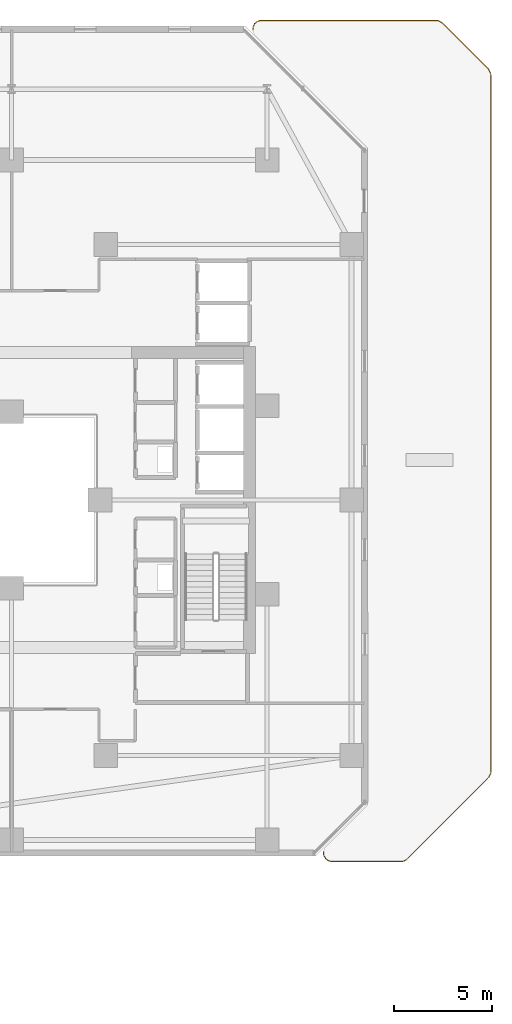
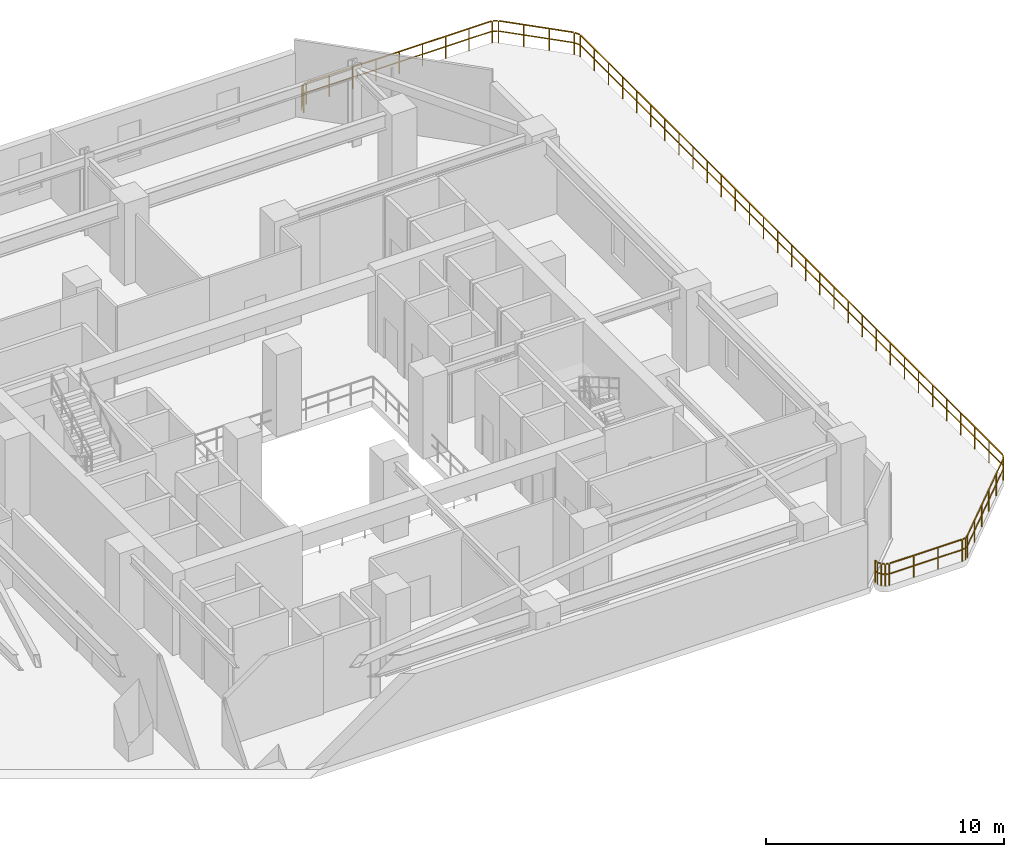
# One storey, part 29 of 30: 1 railing.
"""IFC4 building model written with IfcOpenShell, lengths in metres."""

from ifc_helpers import new_model, si_unit, direction, frame, origin, origin_2d, place, context, subcontext, project, spatial, rectangle, extrude, material, type_object, element, save


model = new_model("IFC4")

# Units and contexts
model_context = context("Model", 3, precision=1e-05, world=origin(), true_north=direction((0.0, 1.0)))
body_context = subcontext(model_context, "Body", "Model", "MODEL_VIEW")
ifc_project = project(units=[si_unit("LENGTHUNIT", "METRE"), si_unit("AREAUNIT", "SQUARE_METRE"), si_unit("VOLUMEUNIT", "CUBIC_METRE"), si_unit("PLANEANGLEUNIT", "RADIAN"), si_unit("MASSUNIT", "GRAM", prefix="KILO")], contexts=[model_context])

# Site, building, storey
site_placement = place(None, origin())
site = spatial("IfcSite", under=ifc_project, at=site_placement, CompositionType="ELEMENT")
building_placement = place(site_placement, origin())
building = spatial("IfcBuilding", under=site, at=building_placement, Name="Thornwick Lancets Civic Towers", CompositionType="ELEMENT")
storey_placement = place(building_placement, frame((0.0, 0.0, 75.89990234375)))
storey = spatial("IfcBuildingStorey", under=building, at=storey_placement, Name="L19", CompositionType="ELEMENT", Elevation=75.89990234375)

# Railing
ifc_material = material(Name="Terracotta-capped laminated glass balustrade S355", Category="masonry")
railing_type = type_object("IfcRailingType", Name="RAIL_TERR_GUARD", PredefinedType="GUARDRAIL", material=ifc_material)
railing_placement = place(storey_placement, frame((100.767333984375, 50.90234375, 0.0)))
element("IfcRailing", 1, at=railing_placement, inside=storey, type_object=railing_type, Name="L19 Tower B Sky-Garden Guard 1", PredefinedType="GUARDRAIL", context=body_context, shape_type="SweptSolid", body=[
    extrude(rectangle(XDim=0.048095703125, YDim=0.048095703125, at=origin_2d()), frame((0.0, 0.0, 1.1259765625), z_axis=(0.094101126617, 0.99556264392, 0.0), x_axis=(-0.99556264392, 0.094101126617, 0.0)), (0.0, 0.0, 1.0), 0.147705078125),
    extrude(rectangle(XDim=0.0419921875, YDim=0.0419921875, at=origin_2d()), frame((0.00341796875, 0.037353515625, 0.597900390625), z_axis=(0.094101126617, 0.99556264392, 0.0), x_axis=(-0.99556264392, 0.094101126617, 0.0)), (0.0, 0.0, 1.0), 0.10400390625),
    extrude(rectangle(XDim=0.048095703125, YDim=0.048095703125, at=origin_2d()), frame((0.031494140625, 0.205810546875, 1.1259765625), z_axis=(0.469866553184, 0.882737459384, 0.0), x_axis=(-0.882737459384, 0.469866553184, 0.0)), (0.0, 0.0, 1.0), 0.113037109375),
    extrude(rectangle(XDim=0.0419921875, YDim=0.0419921875, at=origin_2d()), frame((0.034423828125, 0.21142578125, 0.597900390625), z_axis=(0.469866553184, 0.882737459384, 0.0), x_axis=(-0.882737459384, 0.469866553184, 0.0)), (0.0, 0.0, 1.0), 0.1005859375),
    extrude(rectangle(XDim=0.048095703125, YDim=0.048095703125, at=origin_2d()), frame((0.12353515625, 0.35302734375, 1.1259765625), z_axis=(0.773771583857, 0.63346470779, 0.0), x_axis=(-0.63346470779, 0.773771583857, 0.0)), (0.0, 0.0, 1.0), 0.11328125),
    extrude(rectangle(XDim=0.0419921875, YDim=0.0419921875, at=origin_2d()), frame((0.12841796875, 0.35693359375, 0.597900390625), z_axis=(0.773771583857, 0.63346470779, 0.0), x_axis=(-0.63346470779, 0.773771583857, 0.0)), (0.0, 0.0, 1.0), 0.100830078125),
    extrude(rectangle(XDim=0.048095703125, YDim=0.048095703125, at=origin_2d()), frame((0.265380859375, 0.45361328125, 1.1259765625), z_axis=(0.957211427299, 0.289389501276, 0.0), x_axis=(-0.289389501276, 0.957211427299, 0.0)), (0.0, 0.0, 1.0), 0.113037109375),
    extrude(rectangle(XDim=0.0419921875, YDim=0.0419921875, at=origin_2d()), frame((0.271240234375, 0.455322265625, 0.597900390625), z_axis=(0.957211427299, 0.289389501276, 0.0), x_axis=(-0.289389501276, 0.957211427299, 0.0)), (0.0, 0.0, 1.0), 0.1005859375),
    extrude(rectangle(XDim=0.048095703125, YDim=0.048095703125, at=origin_2d()), frame((0.4345703125, 0.495361328125, 1.1259765625), z_axis=(0.999999752971, -0.0007028925, 0.0), x_axis=(0.0007028925, 0.999999752971, 0.0)), (0.0, 0.0, 1.0), 8.96826171875),
    extrude(rectangle(XDim=0.0419921875, YDim=0.0419921875, at=origin_2d()), frame((0.44091796875, 0.495361328125, 0.597900390625), z_axis=(0.999999752971, -0.0007028925, 0.0), x_axis=(0.0007028925, 0.999999752971, 0.0)), (0.0, 0.0, 1.0), 1.053955078125),
    extrude(rectangle(XDim=0.0419921875, YDim=0.0419921875, at=origin_2d()), frame((1.569580078125, 0.49462890625, 0.597900390625), z_axis=(0.999999752971, -0.0007028925, 0.0), x_axis=(0.0007028925, 0.999999752971, 0.0)), (0.0, 0.0, 1.0), 1.053955078125),
    extrude(rectangle(XDim=0.0419921875, YDim=0.0419921875, at=origin_2d()), frame((2.698486328125, 0.49365234375, 0.597900390625), z_axis=(0.999999752971, -0.0007028925, 0.0), x_axis=(0.0007028925, 0.999999752971, 0.0)), (0.0, 0.0, 1.0), 1.053955078125),
    extrude(rectangle(XDim=0.0419921875, YDim=0.0419921875, at=origin_2d()), frame((3.827392578125, 0.492919921875, 0.597900390625), z_axis=(0.999999752971, -0.0007028925, 0.0), x_axis=(0.0007028925, 0.999999752971, 0.0)), (0.0, 0.0, 1.0), 1.053955078125),
    extrude(rectangle(XDim=0.0419921875, YDim=0.0419921875, at=origin_2d()), frame((4.956298828125, 0.4921875, 0.597900390625), z_axis=(0.999999752971, -0.0007028925, 0.0), x_axis=(0.0007028925, 0.999999752971, 0.0)), (0.0, 0.0, 1.0), 1.053955078125),
    extrude(rectangle(XDim=0.0419921875, YDim=0.0419921875, at=origin_2d()), frame((6.0849609375, 0.491455078125, 0.597900390625), z_axis=(0.999999752971, -0.0007028925, 0.0), x_axis=(0.0007028925, 0.999999752971, 0.0)), (0.0, 0.0, 1.0), 1.053955078125),
    extrude(rectangle(XDim=0.0419921875, YDim=0.0419921875, at=origin_2d()), frame((7.2138671875, 0.490478515625, 0.597900390625), z_axis=(0.999999752971, -0.0007028925, 0.0), x_axis=(0.0007028925, 0.999999752971, 0.0)), (0.0, 0.0, 1.0), 1.053955078125),
    extrude(rectangle(XDim=0.0419921875, YDim=0.0419921875, at=origin_2d()), frame((8.3427734375, 0.48974609375, 0.597900390625), z_axis=(0.999999752971, -0.0007028925, 0.0), x_axis=(0.0007028925, 0.999999752971, 0.0)), (0.0, 0.0, 1.0), 1.053955078125),
    extrude(rectangle(XDim=0.048095703125, YDim=0.048095703125, at=origin_2d()), frame((9.461669921875, 0.474365234375, 1.1259765625), z_axis=(0.882145912945, -0.470976207759, 0.0), x_axis=(0.470976207759, 0.882145912945, 0.0)), (0.0, 0.0, 1.0), 0.19873046875),
    extrude(rectangle(XDim=0.0419921875, YDim=0.0419921875, at=origin_2d()), frame((9.467041015625, 0.471435546875, 0.597900390625), z_axis=(0.882145912945, -0.470976207759, 0.0), x_axis=(0.470976207759, 0.882145912945, 0.0)), (0.0, 0.0, 1.0), 0.186279296875),
    extrude(rectangle(XDim=0.048095703125, YDim=0.048095703125, at=origin_2d()), frame((9.686767578125, 0.34375, 1.1259765625), z_axis=(0.707106781187, -0.707106781187, 0.0), x_axis=(0.707106781187, 0.707106781187, 0.0)), (0.0, 0.0, 1.0), 3.24169921875),
    extrude(rectangle(XDim=0.0419921875, YDim=0.0419921875, at=origin_2d()), frame((9.691162109375, 0.33935546875, 0.597900390625), z_axis=(0.707106781187, -0.707106781187, 0.0), x_axis=(0.707106781187, 0.707106781187, 0.0)), (0.0, 0.0, 1.0), 1.0263671875),
    extrude(rectangle(XDim=0.0419921875, YDim=0.0419921875, at=origin_2d()), frame((10.469970703125, -0.439453125, 0.597900390625), z_axis=(0.707106781187, -0.707106781187, 0.0), x_axis=(0.707106781187, 0.707106781187, 0.0)), (0.0, 0.0, 1.0), 1.0263671875),
    extrude(rectangle(XDim=0.0419921875, YDim=0.0419921875, at=origin_2d()), frame((11.248779296875, -1.21826171875, 0.597900390625), z_axis=(0.707106781187, -0.707106781187, 0.0), x_axis=(0.707106781187, 0.707106781187, 0.0)), (0.0, 0.0, 1.0), 1.0263671875),
    extrude(rectangle(XDim=0.048095703125, YDim=0.048095703125, at=origin_2d()), frame((12.014404296875, -1.998779296875, 1.1259765625), z_axis=(0.426805098696, -0.904343633652, 0.0), x_axis=(0.904343633652, 0.426805098696, 0.0)), (0.0, 0.0, 1.0), 0.24072265625),
    extrude(rectangle(XDim=0.0419921875, YDim=0.0419921875, at=origin_2d()), frame((12.01708984375, -2.00439453125, 0.597900390625), z_axis=(0.426805098696, -0.904343633652, 0.0), x_axis=(0.904343633652, 0.426805098696, 0.0)), (0.0, 0.0, 1.0), 0.228271484375),
    extrude(rectangle(XDim=0.048095703125, YDim=0.048095703125, at=origin_2d()), frame((12.13037109375, -2.27587890625, 1.1259765625), z_axis=(-0.000178510124, -0.999999984067, 0.0), x_axis=(0.999999984067, -0.000178510124, 0.0)), (0.0, 0.0, 1.0), 35.49658203125),
    extrude(rectangle(XDim=0.0419921875, YDim=0.0419921875, at=origin_2d()), frame((12.13037109375, -2.2822265625, 0.597900390625), z_axis=(-0.000178510124, -0.999999984067, 0.0), x_axis=(0.999999984067, -0.000178510124, 0.0)), (0.0, 0.0, 1.0), 1.1103515625),
    extrude(rectangle(XDim=0.0419921875, YDim=0.0419921875, at=origin_2d()), frame((12.130126953125, -3.467529296875, 0.597900390625), z_axis=(-0.000178510124, -0.999999984067, 0.0), x_axis=(0.999999984067, -0.000178510124, 0.0)), (0.0, 0.0, 1.0), 1.1103515625),
    extrude(rectangle(XDim=0.0419921875, YDim=0.0419921875, at=origin_2d()), frame((12.1298828125, -4.65283203125, 0.597900390625), z_axis=(-0.000178510124, -0.999999984067, 0.0), x_axis=(0.999999984067, -0.000178510124, 0.0)), (0.0, 0.0, 1.0), 1.1103515625),
    extrude(rectangle(XDim=0.0419921875, YDim=0.0419921875, at=origin_2d()), frame((12.129638671875, -5.838134765625, 0.597900390625), z_axis=(-0.000178510124, -0.999999984067, 0.0), x_axis=(0.999999984067, -0.000178510124, 0.0)), (0.0, 0.0, 1.0), 1.1103515625),
    extrude(rectangle(XDim=0.0419921875, YDim=0.0419921875, at=origin_2d()), frame((12.129638671875, -7.0234375, 0.597900390625), z_axis=(-0.000178510124, -0.999999984067, 0.0), x_axis=(0.999999984067, -0.000178510124, 0.0)), (0.0, 0.0, 1.0), 1.1103515625),
    extrude(rectangle(XDim=0.0419921875, YDim=0.0419921875, at=origin_2d()), frame((12.12939453125, -8.208740234375, 0.597900390625), z_axis=(-0.000178510124, -0.999999984067, 0.0), x_axis=(0.999999984067, -0.000178510124, 0.0)), (0.0, 0.0, 1.0), 1.1103515625),
    extrude(rectangle(XDim=0.0419921875, YDim=0.0419921875, at=origin_2d()), frame((12.129150390625, -9.39404296875, 0.597900390625), z_axis=(-0.000178510124, -0.999999984067, 0.0), x_axis=(0.999999984067, -0.000178510124, 0.0)), (0.0, 0.0, 1.0), 1.1103515625),
    extrude(rectangle(XDim=0.0419921875, YDim=0.0419921875, at=origin_2d()), frame((12.12890625, -10.579345703125, 0.597900390625), z_axis=(-0.000178510124, -0.999999984067, 0.0), x_axis=(0.999999984067, -0.000178510124, 0.0)), (0.0, 0.0, 1.0), 1.1103515625),
    extrude(rectangle(XDim=0.0419921875, YDim=0.0419921875, at=origin_2d()), frame((12.128662109375, -11.7646484375, 0.597900390625), z_axis=(-0.000178510124, -0.999999984067, 0.0), x_axis=(0.999999984067, -0.000178510124, 0.0)), (0.0, 0.0, 1.0), 1.1103515625),
    extrude(rectangle(XDim=0.0419921875, YDim=0.0419921875, at=origin_2d()), frame((12.12841796875, -12.949951171875, 0.597900390625), z_axis=(-0.000178510124, -0.999999984067, 0.0), x_axis=(0.999999984067, -0.000178510124, 0.0)), (0.0, 0.0, 1.0), 1.1103515625),
    extrude(rectangle(XDim=0.0419921875, YDim=0.0419921875, at=origin_2d()), frame((12.128173828125, -14.13525390625, 0.597900390625), z_axis=(-0.000178510124, -0.999999984067, 0.0), x_axis=(0.999999984067, -0.000178510124, 0.0)), (0.0, 0.0, 1.0), 1.1103515625),
    extrude(rectangle(XDim=0.0419921875, YDim=0.0419921875, at=origin_2d()), frame((12.1279296875, -15.320556640625, 0.597900390625), z_axis=(-0.000178510124, -0.999999984067, 0.0), x_axis=(0.999999984067, -0.000178510124, 0.0)), (0.0, 0.0, 1.0), 1.1103515625),
    extrude(rectangle(XDim=0.0419921875, YDim=0.0419921875, at=origin_2d()), frame((12.1279296875, -16.505859375, 0.597900390625), z_axis=(-0.000178510124, -0.999999984067, 0.0), x_axis=(0.999999984067, -0.000178510124, 0.0)), (0.0, 0.0, 1.0), 1.1103515625),
    extrude(rectangle(XDim=0.0419921875, YDim=0.0419921875, at=origin_2d()), frame((12.127685546875, -17.691162109375, 0.597900390625), z_axis=(-0.000178510124, -0.999999984067, 0.0), x_axis=(0.999999984067, -0.000178510124, 0.0)), (0.0, 0.0, 1.0), 1.1103515625),
    extrude(rectangle(XDim=0.0419921875, YDim=0.0419921875, at=origin_2d()), frame((12.12744140625, -18.87646484375, 0.597900390625), z_axis=(-0.000178510124, -0.999999984067, 0.0), x_axis=(0.999999984067, -0.000178510124, 0.0)), (0.0, 0.0, 1.0), 1.1103515625),
    extrude(rectangle(XDim=0.0419921875, YDim=0.0419921875, at=origin_2d()), frame((12.127197265625, -20.061767578125, 0.597900390625), z_axis=(-0.000178510124, -0.999999984067, 0.0), x_axis=(0.999999984067, -0.000178510124, 0.0)), (0.0, 0.0, 1.0), 1.1103515625),
    extrude(rectangle(XDim=0.0419921875, YDim=0.0419921875, at=origin_2d()), frame((12.126953125, -21.2470703125, 0.597900390625), z_axis=(-0.000178510124, -0.999999984067, 0.0), x_axis=(0.999999984067, -0.000178510124, 0.0)), (0.0, 0.0, 1.0), 1.1103515625),
    extrude(rectangle(XDim=0.0419921875, YDim=0.0419921875, at=origin_2d()), frame((12.126708984375, -22.432373046875, 0.597900390625), z_axis=(-0.000178510124, -0.999999984067, 0.0), x_axis=(0.999999984067, -0.000178510124, 0.0)), (0.0, 0.0, 1.0), 1.1103515625),
    extrude(rectangle(XDim=0.0419921875, YDim=0.0419921875, at=origin_2d()), frame((12.12646484375, -23.61767578125, 0.597900390625), z_axis=(-0.000178510124, -0.999999984067, 0.0), x_axis=(0.999999984067, -0.000178510124, 0.0)), (0.0, 0.0, 1.0), 1.1103515625),
    extrude(rectangle(XDim=0.0419921875, YDim=0.0419921875, at=origin_2d()), frame((12.12646484375, -24.802978515625, 0.597900390625), z_axis=(-0.000178510124, -0.999999984067, 0.0), x_axis=(0.999999984067, -0.000178510124, 0.0)), (0.0, 0.0, 1.0), 1.1103515625),
    extrude(rectangle(XDim=0.0419921875, YDim=0.0419921875, at=origin_2d()), frame((12.126220703125, -25.98828125, 0.597900390625), z_axis=(-0.000178510124, -0.999999984067, 0.0), x_axis=(0.999999984067, -0.000178510124, 0.0)), (0.0, 0.0, 1.0), 1.1103515625),
    extrude(rectangle(XDim=0.0419921875, YDim=0.0419921875, at=origin_2d()), frame((12.1259765625, -27.173583984375, 0.597900390625), z_axis=(-0.000178510124, -0.999999984067, 0.0), x_axis=(0.999999984067, -0.000178510124, 0.0)), (0.0, 0.0, 1.0), 1.1103515625),
    extrude(rectangle(XDim=0.0419921875, YDim=0.0419921875, at=origin_2d()), frame((12.125732421875, -28.35888671875, 0.597900390625), z_axis=(-0.000178510124, -0.999999984067, 0.0), x_axis=(0.999999984067, -0.000178510124, 0.0)), (0.0, 0.0, 1.0), 1.1103515625),
    extrude(rectangle(XDim=0.0419921875, YDim=0.0419921875, at=origin_2d()), frame((12.12548828125, -29.544189453125, 0.597900390625), z_axis=(-0.000178510124, -0.999999984067, 0.0), x_axis=(0.999999984067, -0.000178510124, 0.0)), (0.0, 0.0, 1.0), 1.1103515625),
    extrude(rectangle(XDim=0.0419921875, YDim=0.0419921875, at=origin_2d()), frame((12.125244140625, -30.7294921875, 0.597900390625), z_axis=(-0.000178510124, -0.999999984067, 0.0), x_axis=(0.999999984067, -0.000178510124, 0.0)), (0.0, 0.0, 1.0), 1.1103515625),
    extrude(rectangle(XDim=0.0419921875, YDim=0.0419921875, at=origin_2d()), frame((12.125, -31.914794921875, 0.597900390625), z_axis=(-0.000178510124, -0.999999984067, 0.0), x_axis=(0.999999984067, -0.000178510124, 0.0)), (0.0, 0.0, 1.0), 1.1103515625),
    extrude(rectangle(XDim=0.0419921875, YDim=0.0419921875, at=origin_2d()), frame((12.124755859375, -33.10009765625, 0.597900390625), z_axis=(-0.000178510124, -0.999999984067, 0.0), x_axis=(0.999999984067, -0.000178510124, 0.0)), (0.0, 0.0, 1.0), 1.1103515625),
    extrude(rectangle(XDim=0.0419921875, YDim=0.0419921875, at=origin_2d()), frame((12.124755859375, -34.285400390625, 0.597900390625), z_axis=(-0.000178510124, -0.999999984067, 0.0), x_axis=(0.999999984067, -0.000178510124, 0.0)), (0.0, 0.0, 1.0), 1.1103515625),
    extrude(rectangle(XDim=0.0419921875, YDim=0.0419921875, at=origin_2d()), frame((12.12451171875, -35.470703125, 0.597900390625), z_axis=(-0.000178510124, -0.999999984067, 0.0), x_axis=(0.999999984067, -0.000178510124, 0.0)), (0.0, 0.0, 1.0), 1.1103515625),
    extrude(rectangle(XDim=0.0419921875, YDim=0.0419921875, at=origin_2d()), frame((12.124267578125, -36.656005859375, 0.597900390625), z_axis=(-0.000178510124, -0.999999984067, 0.0), x_axis=(0.999999984067, -0.000178510124, 0.0)), (0.0, 0.0, 1.0), 1.1103515625),
    extrude(rectangle(XDim=0.048095703125, YDim=0.048095703125, at=origin_2d()), frame((12.109375, -37.831298828125, 1.1259765625), z_axis=(-0.470976207759, -0.882145912945, 0.0), x_axis=(0.882145912945, -0.470976207759, 0.0)), (0.0, 0.0, 1.0), 0.19873046875),
    extrude(rectangle(XDim=0.0419921875, YDim=0.0419921875, at=origin_2d()), frame((12.1064453125, -37.836669921875, 0.597900390625), z_axis=(-0.470976207759, -0.882145912945, 0.0), x_axis=(0.882145912945, -0.470976207759, 0.0)), (0.0, 0.0, 1.0), 0.186279296875),
    extrude(rectangle(XDim=0.048095703125, YDim=0.048095703125, at=origin_2d()), frame((11.978759765625, -38.056396484375, 1.1259765625), z_axis=(-0.707106781187, -0.707106781187, 0.0), x_axis=(0.707106781187, -0.707106781187, 0.0)), (0.0, 0.0, 1.0), 5.787353515625),
    extrude(rectangle(XDim=0.0419921875, YDim=0.0419921875, at=origin_2d()), frame((11.974365234375, -38.060791015625, 0.597900390625), z_axis=(-0.707106781187, -0.707106781187, 0.0), x_axis=(0.707106781187, -0.707106781187, 0.0)), (0.0, 0.0, 1.0), 1.094970703125),
    extrude(rectangle(XDim=0.0419921875, YDim=0.0419921875, at=origin_2d()), frame((11.147216796875, -38.887939453125, 0.597900390625), z_axis=(-0.707106781187, -0.707106781187, 0.0), x_axis=(0.707106781187, -0.707106781187, 0.0)), (0.0, 0.0, 1.0), 1.094970703125),
    extrude(rectangle(XDim=0.0419921875, YDim=0.0419921875, at=origin_2d()), frame((10.31982421875, -39.71533203125, 0.597900390625), z_axis=(-0.707106781187, -0.707106781187, 0.0), x_axis=(0.707106781187, -0.707106781187, 0.0)), (0.0, 0.0, 1.0), 1.094970703125),
    extrude(rectangle(XDim=0.0419921875, YDim=0.0419921875, at=origin_2d()), frame((9.49267578125, -40.54248046875, 0.597900390625), z_axis=(-0.707106781187, -0.707106781187, 0.0), x_axis=(0.707106781187, -0.707106781187, 0.0)), (0.0, 0.0, 1.0), 1.094970703125),
    extrude(rectangle(XDim=0.0419921875, YDim=0.0419921875, at=origin_2d()), frame((8.665283203125, -41.369873046875, 0.597900390625), z_axis=(-0.707106781187, -0.707106781187, 0.0), x_axis=(0.707106781187, -0.707106781187, 0.0)), (0.0, 0.0, 1.0), 1.094970703125),
    extrude(rectangle(XDim=0.048095703125, YDim=0.048095703125, at=origin_2d()), frame((7.83837890625, -42.18798828125, 1.1259765625), z_axis=(-0.831836227726, -0.555021161978, 0.0), x_axis=(0.555021161978, -0.831836227726, 0.0)), (0.0, 0.0, 1.0), 0.113037109375),
    extrude(rectangle(XDim=0.0419921875, YDim=0.0419921875, at=origin_2d()), frame((7.833251953125, -42.19140625, 0.597900390625), z_axis=(-0.831836227726, -0.555021161978, 0.0), x_axis=(0.555021161978, -0.831836227726, 0.0)), (0.0, 0.0, 1.0), 0.1005859375),
    extrude(rectangle(XDim=0.048095703125, YDim=0.048095703125, at=origin_2d()), frame((7.687744140625, -42.274169921875, 1.1259765625), z_axis=(-0.980847315625, -0.194778190337, 0.0), x_axis=(0.194778190337, -0.980847315625, 0.0)), (0.0, 0.0, 1.0), 0.113037109375),
    extrude(rectangle(XDim=0.0419921875, YDim=0.0419921875, at=origin_2d()), frame((7.681640625, -42.275390625, 0.597900390625), z_axis=(-0.980847315625, -0.194778190337, 0.0), x_axis=(0.194778190337, -0.980847315625, 0.0)), (0.0, 0.0, 1.0), 0.1005859375),
    extrude(rectangle(XDim=0.048095703125, YDim=0.048095703125, at=origin_2d()), frame((7.51513671875, -42.30224609375, 1.1259765625), z_axis=(-0.999999807717, 0.000620133554, 0.0), x_axis=(-0.000620133554, -0.999999807717, 0.0)), (0.0, 0.0, 1.0), 3.480712890625),
    extrude(rectangle(XDim=0.0419921875, YDim=0.0419921875, at=origin_2d()), frame((7.5087890625, -42.30224609375, 0.597900390625), z_axis=(-0.999999807717, 0.000620133554, 0.0), x_axis=(-0.000620133554, -0.999999807717, 0.0)), (0.0, 0.0, 1.0), 1.106201171875),
    extrude(rectangle(XDim=0.0419921875, YDim=0.0419921875, at=origin_2d()), frame((6.327880859375, -42.301513671875, 0.597900390625), z_axis=(-0.999999807717, 0.000620133554, 0.0), x_axis=(-0.000620133554, -0.999999807717, 0.0)), (0.0, 0.0, 1.0), 1.106201171875),
    extrude(rectangle(XDim=0.0419921875, YDim=0.0419921875, at=origin_2d()), frame((5.146728515625, -42.30078125, 0.597900390625), z_axis=(-0.999999807717, 0.000620133554, 0.0), x_axis=(-0.000620133554, -0.999999807717, 0.0)), (0.0, 0.0, 1.0), 1.106201171875),
    extrude(rectangle(XDim=0.048095703125, YDim=0.048095703125, at=origin_2d()), frame((3.97314453125, -42.291015625, 1.1259765625), z_axis=(-0.957211427299, 0.289389501276, 0.0), x_axis=(-0.289389501276, -0.957211427299, 0.0)), (0.0, 0.0, 1.0), 0.113037109375),
    extrude(rectangle(XDim=0.0419921875, YDim=0.0419921875, at=origin_2d()), frame((3.96728515625, -42.289306640625, 0.597900390625), z_axis=(-0.957211427299, 0.289389501276, 0.0), x_axis=(-0.289389501276, -0.957211427299, 0.0)), (0.0, 0.0, 1.0), 0.1005859375),
    extrude(rectangle(XDim=0.048095703125, YDim=0.048095703125, at=origin_2d()), frame((3.81103515625, -42.2294921875, 1.1259765625), z_axis=(-0.773213238462, 0.634146109242, 0.0), x_axis=(-0.634146109242, -0.773213238462, 0.0)), (0.0, 0.0, 1.0), 0.113037109375),
    extrude(rectangle(XDim=0.0419921875, YDim=0.0419921875, at=origin_2d()), frame((3.80615234375, -42.2255859375, 0.597900390625), z_axis=(-0.773213238462, 0.634146109242, 0.0), x_axis=(-0.634146109242, -0.773213238462, 0.0)), (0.0, 0.0, 1.0), 0.1005859375),
    extrude(rectangle(XDim=0.048095703125, YDim=0.048095703125, at=origin_2d()), frame((3.684814453125, -42.1103515625, 1.1259765625), z_axis=(-0.470948722639, 0.882160586654, 0.0), x_axis=(-0.882160586654, -0.470948722639, 0.0)), (0.0, 0.0, 1.0), 0.11328125),
    extrude(rectangle(XDim=0.0419921875, YDim=0.0419921875, at=origin_2d()), frame((3.681884765625, -42.10498046875, 0.597900390625), z_axis=(-0.470948722639, 0.882160586654, 0.0), x_axis=(-0.882160586654, -0.470948722639, 0.0)), (0.0, 0.0, 1.0), 0.100830078125),
    extrude(rectangle(XDim=0.048095703125, YDim=0.048095703125, at=origin_2d()), frame((3.61376953125, -41.951904296875, 1.1259765625), z_axis=(-0.094101126617, 0.99556264392, 0.0), x_axis=(-0.99556264392, -0.094101126617, 0.0)), (0.0, 0.0, 1.0), 0.147705078125),
    extrude(rectangle(XDim=0.0419921875, YDim=0.0419921875, at=origin_2d()), frame((3.61328125, -41.945556640625, 0.597900390625), z_axis=(-0.094101126617, 0.99556264392, 0.0), x_axis=(-0.99556264392, -0.094101126617, 0.0)), (0.0, 0.0, 1.0), 0.10400390625),
    extrude(rectangle(XDim=0.0419921875, YDim=0.0419921875, at=origin_2d()), origin(), (0.0, 0.0, 1.0), 1.095703125),
    extrude(rectangle(XDim=0.0419921875, YDim=0.0419921875, at=origin_2d()), frame((0.016845703125, 0.17822265625, 0.0)), (0.0, 0.0, 1.0), 1.095703125),
    extrude(rectangle(XDim=0.0419921875, YDim=0.0419921875, at=origin_2d()), frame((0.099365234375, 0.333251953125, 0.0)), (0.0, 0.0, 1.0), 1.095703125),
    extrude(rectangle(XDim=0.0419921875, YDim=0.0419921875, at=origin_2d()), frame((0.2353515625, 0.444580078125, 0.0)), (0.0, 0.0, 1.0), 1.095703125),
    extrude(rectangle(XDim=0.0419921875, YDim=0.0419921875, at=origin_2d()), frame((0.4033203125, 0.495361328125, 0.0)), (0.0, 0.0, 1.0), 1.095703125),
    extrude(rectangle(XDim=0.0419921875, YDim=0.0419921875, at=origin_2d()), frame((1.5322265625, 0.49462890625, 0.0)), (0.0, 0.0, 1.0), 1.095703125),
    extrude(rectangle(XDim=0.0419921875, YDim=0.0419921875, at=origin_2d()), frame((2.6611328125, 0.49365234375, 0.0)), (0.0, 0.0, 1.0), 1.095703125),
    extrude(rectangle(XDim=0.0419921875, YDim=0.0419921875, at=origin_2d()), frame((3.789794921875, 0.492919921875, 0.0)), (0.0, 0.0, 1.0), 1.095703125),
    extrude(rectangle(XDim=0.0419921875, YDim=0.0419921875, at=origin_2d()), frame((4.918701171875, 0.4921875, 0.0)), (0.0, 0.0, 1.0), 1.095703125),
    extrude(rectangle(XDim=0.0419921875, YDim=0.0419921875, at=origin_2d()), frame((6.047607421875, 0.491455078125, 0.0)), (0.0, 0.0, 1.0), 1.095703125),
    extrude(rectangle(XDim=0.0419921875, YDim=0.0419921875, at=origin_2d()), frame((7.17626953125, 0.49072265625, 0.0)), (0.0, 0.0, 1.0), 1.095703125),
    extrude(rectangle(XDim=0.0419921875, YDim=0.0419921875, at=origin_2d()), frame((8.30517578125, 0.48974609375, 0.0)), (0.0, 0.0, 1.0), 1.095703125),
    extrude(rectangle(XDim=0.0419921875, YDim=0.0419921875, at=origin_2d()), frame((9.43408203125, 0.489013671875, 0.0)), (0.0, 0.0, 1.0), 1.095703125),
    extrude(rectangle(XDim=0.0419921875, YDim=0.0419921875, at=origin_2d()), frame((9.66455078125, 0.365966796875, 0.0)), (0.0, 0.0, 1.0), 1.095703125),
    extrude(rectangle(XDim=0.0419921875, YDim=0.0419921875, at=origin_2d()), frame((10.443359375, -0.412841796875, 0.0)), (0.0, 0.0, 1.0), 1.095703125),
    extrude(rectangle(XDim=0.0419921875, YDim=0.0419921875, at=origin_2d()), frame((11.22216796875, -1.191650390625, 0.0)), (0.0, 0.0, 1.0), 1.095703125),
    extrude(rectangle(XDim=0.0419921875, YDim=0.0419921875, at=origin_2d()), frame((12.0009765625, -1.970458984375, 0.0)), (0.0, 0.0, 1.0), 1.095703125),
    extrude(rectangle(XDim=0.0419921875, YDim=0.0419921875, at=origin_2d()), frame((12.13037109375, -2.24462890625, 0.0)), (0.0, 0.0, 1.0), 1.095703125),
    extrude(rectangle(XDim=0.0419921875, YDim=0.0419921875, at=origin_2d()), frame((12.130126953125, -3.429931640625, 0.0)), (0.0, 0.0, 1.0), 1.095703125),
    extrude(rectangle(XDim=0.0419921875, YDim=0.0419921875, at=origin_2d()), frame((12.1298828125, -4.615234375, 0.0)), (0.0, 0.0, 1.0), 1.095703125),
    extrude(rectangle(XDim=0.0419921875, YDim=0.0419921875, at=origin_2d()), frame((12.129638671875, -5.800537109375, 0.0)), (0.0, 0.0, 1.0), 1.095703125),
    extrude(rectangle(XDim=0.0419921875, YDim=0.0419921875, at=origin_2d()), frame((12.129638671875, -6.98583984375, 0.0)), (0.0, 0.0, 1.0), 1.095703125),
    extrude(rectangle(XDim=0.0419921875, YDim=0.0419921875, at=origin_2d()), frame((12.12939453125, -8.171142578125, 0.0)), (0.0, 0.0, 1.0), 1.095703125),
    extrude(rectangle(XDim=0.0419921875, YDim=0.0419921875, at=origin_2d()), frame((12.129150390625, -9.3564453125, 0.0)), (0.0, 0.0, 1.0), 1.095703125),
    extrude(rectangle(XDim=0.0419921875, YDim=0.0419921875, at=origin_2d()), frame((12.12890625, -10.541748046875, 0.0)), (0.0, 0.0, 1.0), 1.095703125),
    extrude(rectangle(XDim=0.0419921875, YDim=0.0419921875, at=origin_2d()), frame((12.128662109375, -11.72705078125, 0.0)), (0.0, 0.0, 1.0), 1.095703125),
    extrude(rectangle(XDim=0.0419921875, YDim=0.0419921875, at=origin_2d()), frame((12.12841796875, -12.912353515625, 0.0)), (0.0, 0.0, 1.0), 1.095703125),
    extrude(rectangle(XDim=0.0419921875, YDim=0.0419921875, at=origin_2d()), frame((12.128173828125, -14.09765625, 0.0)), (0.0, 0.0, 1.0), 1.095703125),
    extrude(rectangle(XDim=0.0419921875, YDim=0.0419921875, at=origin_2d()), frame((12.1279296875, -15.282958984375, 0.0)), (0.0, 0.0, 1.0), 1.095703125),
    extrude(rectangle(XDim=0.0419921875, YDim=0.0419921875, at=origin_2d()), frame((12.1279296875, -16.46826171875, 0.0)), (0.0, 0.0, 1.0), 1.095703125),
    extrude(rectangle(XDim=0.0419921875, YDim=0.0419921875, at=origin_2d()), frame((12.127685546875, -17.653564453125, 0.0)), (0.0, 0.0, 1.0), 1.095703125),
    extrude(rectangle(XDim=0.0419921875, YDim=0.0419921875, at=origin_2d()), frame((12.12744140625, -18.8388671875, 0.0)), (0.0, 0.0, 1.0), 1.095703125),
    extrude(rectangle(XDim=0.0419921875, YDim=0.0419921875, at=origin_2d()), frame((12.127197265625, -20.024169921875, 0.0)), (0.0, 0.0, 1.0), 1.095703125),
    extrude(rectangle(XDim=0.0419921875, YDim=0.0419921875, at=origin_2d()), frame((12.126953125, -21.20947265625, 0.0)), (0.0, 0.0, 1.0), 1.095703125),
    extrude(rectangle(XDim=0.0419921875, YDim=0.0419921875, at=origin_2d()), frame((12.126708984375, -22.394775390625, 0.0)), (0.0, 0.0, 1.0), 1.095703125),
    extrude(rectangle(XDim=0.0419921875, YDim=0.0419921875, at=origin_2d()), frame((12.12646484375, -23.580078125, 0.0)), (0.0, 0.0, 1.0), 1.095703125),
    extrude(rectangle(XDim=0.0419921875, YDim=0.0419921875, at=origin_2d()), frame((12.12646484375, -24.765380859375, 0.0)), (0.0, 0.0, 1.0), 1.095703125),
    extrude(rectangle(XDim=0.0419921875, YDim=0.0419921875, at=origin_2d()), frame((12.126220703125, -25.95068359375, 0.0)), (0.0, 0.0, 1.0), 1.095703125),
    extrude(rectangle(XDim=0.0419921875, YDim=0.0419921875, at=origin_2d()), frame((12.1259765625, -27.135986328125, 0.0)), (0.0, 0.0, 1.0), 1.095703125),
    extrude(rectangle(XDim=0.0419921875, YDim=0.0419921875, at=origin_2d()), frame((12.125732421875, -28.3212890625, 0.0)), (0.0, 0.0, 1.0), 1.095703125),
    extrude(rectangle(XDim=0.0419921875, YDim=0.0419921875, at=origin_2d()), frame((12.12548828125, -29.506591796875, 0.0)), (0.0, 0.0, 1.0), 1.095703125),
    extrude(rectangle(XDim=0.0419921875, YDim=0.0419921875, at=origin_2d()), frame((12.125244140625, -30.69189453125, 0.0)), (0.0, 0.0, 1.0), 1.095703125),
    extrude(rectangle(XDim=0.0419921875, YDim=0.0419921875, at=origin_2d()), frame((12.125, -31.877197265625, 0.0)), (0.0, 0.0, 1.0), 1.095703125),
    extrude(rectangle(XDim=0.0419921875, YDim=0.0419921875, at=origin_2d()), frame((12.124755859375, -33.0625, 0.0)), (0.0, 0.0, 1.0), 1.095703125),
    extrude(rectangle(XDim=0.0419921875, YDim=0.0419921875, at=origin_2d()), frame((12.124755859375, -34.247802734375, 0.0)), (0.0, 0.0, 1.0), 1.095703125),
    extrude(rectangle(XDim=0.0419921875, YDim=0.0419921875, at=origin_2d()), frame((12.12451171875, -35.43310546875, 0.0)), (0.0, 0.0, 1.0), 1.095703125),
    extrude(rectangle(XDim=0.0419921875, YDim=0.0419921875, at=origin_2d()), frame((12.124267578125, -36.618408203125, 0.0)), (0.0, 0.0, 1.0), 1.095703125),
    extrude(rectangle(XDim=0.0419921875, YDim=0.0419921875, at=origin_2d()), frame((12.1240234375, -37.8037109375, 0.0)), (0.0, 0.0, 1.0), 1.095703125),
    extrude(rectangle(XDim=0.0419921875, YDim=0.0419921875, at=origin_2d()), frame((12.0009765625, -38.0341796875, 0.0)), (0.0, 0.0, 1.0), 1.095703125),
    extrude(rectangle(XDim=0.0419921875, YDim=0.0419921875, at=origin_2d()), frame((11.173583984375, -38.861572265625, 0.0)), (0.0, 0.0, 1.0), 1.095703125),
    extrude(rectangle(XDim=0.0419921875, YDim=0.0419921875, at=origin_2d()), frame((10.346435546875, -39.688720703125, 0.0)), (0.0, 0.0, 1.0), 1.095703125),
    extrude(rectangle(XDim=0.0419921875, YDim=0.0419921875, at=origin_2d()), frame((9.51904296875, -40.51611328125, 0.0)), (0.0, 0.0, 1.0), 1.095703125),
    extrude(rectangle(XDim=0.0419921875, YDim=0.0419921875, at=origin_2d()), frame((8.69189453125, -41.34326171875, 0.0)), (0.0, 0.0, 1.0), 1.095703125),
    extrude(rectangle(XDim=0.0419921875, YDim=0.0419921875, at=origin_2d()), frame((7.864501953125, -42.170654296875, 0.0)), (0.0, 0.0, 1.0), 1.095703125),
    extrude(rectangle(XDim=0.0419921875, YDim=0.0419921875, at=origin_2d()), frame((7.718505859375, -42.26806640625, 0.0)), (0.0, 0.0, 1.0), 1.095703125),
    extrude(rectangle(XDim=0.0419921875, YDim=0.0419921875, at=origin_2d()), frame((7.54638671875, -42.30224609375, 0.0)), (0.0, 0.0, 1.0), 1.095703125),
    extrude(rectangle(XDim=0.0419921875, YDim=0.0419921875, at=origin_2d()), frame((6.365234375, -42.301513671875, 0.0)), (0.0, 0.0, 1.0), 1.095703125),
    extrude(rectangle(XDim=0.0419921875, YDim=0.0419921875, at=origin_2d()), frame((5.184326171875, -42.30078125, 0.0)), (0.0, 0.0, 1.0), 1.095703125),
    extrude(rectangle(XDim=0.0419921875, YDim=0.0419921875, at=origin_2d()), frame((4.003173828125, -42.300048828125, 0.0)), (0.0, 0.0, 1.0), 1.095703125),
    extrude(rectangle(XDim=0.0419921875, YDim=0.0419921875, at=origin_2d()), frame((3.835205078125, -42.249267578125, 0.0)), (0.0, 0.0, 1.0), 1.095703125),
    extrude(rectangle(XDim=0.0419921875, YDim=0.0419921875, at=origin_2d()), frame((3.699462890625, -42.137939453125, 0.0)), (0.0, 0.0, 1.0), 1.095703125),
    extrude(rectangle(XDim=0.0419921875, YDim=0.0419921875, at=origin_2d()), frame((3.61669921875, -41.98291015625, 0.0)), (0.0, 0.0, 1.0), 1.095703125),
    extrude(rectangle(XDim=0.0419921875, YDim=0.0419921875, at=origin_2d()), frame((3.599853515625, -41.8046875, 0.0)), (0.0, 0.0, 1.0), 1.095703125),
])

save(model, "model.ifc")
